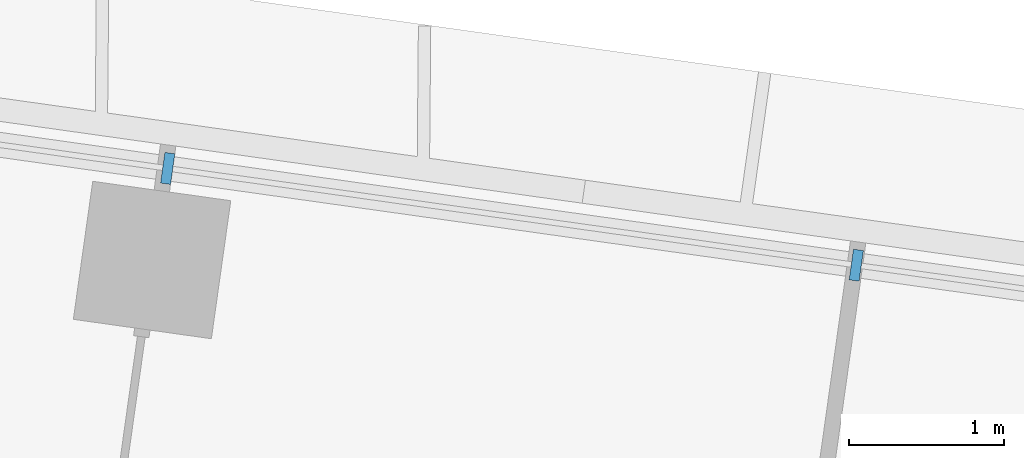
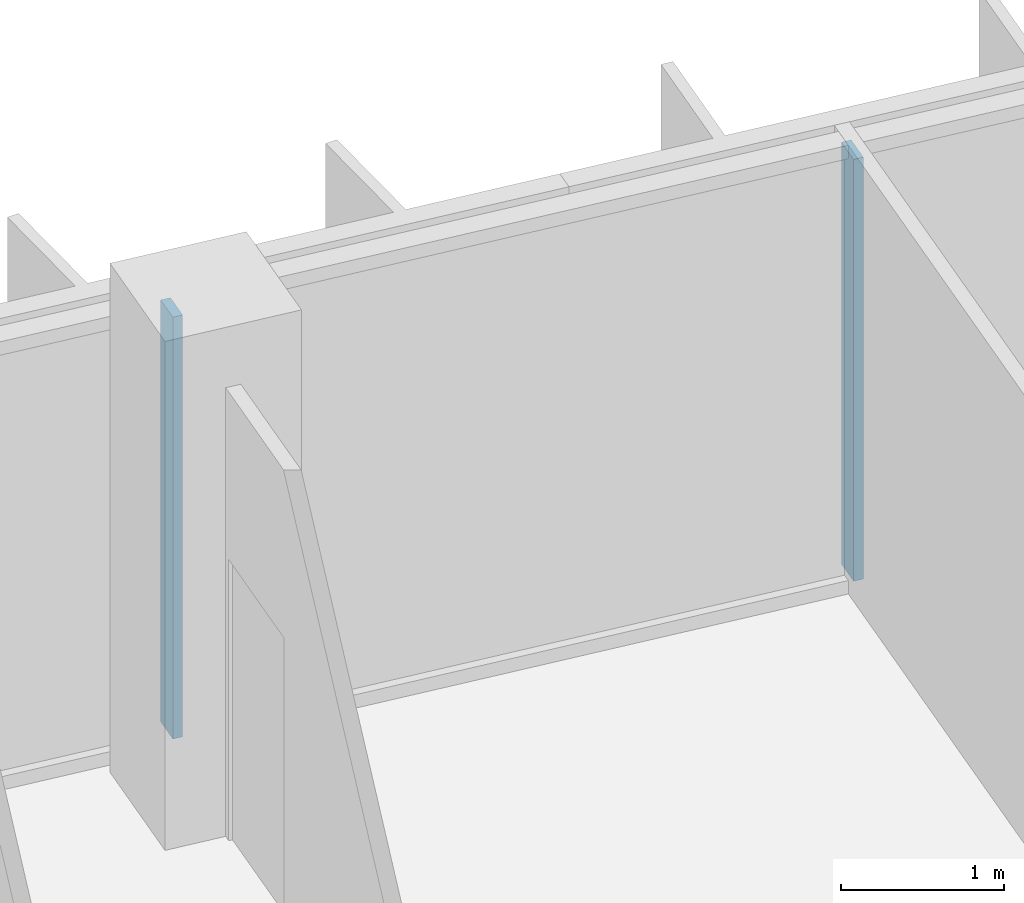
# One storey, part 3 of 27: 2 members, 1 element without a shape of its own.
"""IFC4 building model written with IfcOpenShell, lengths in metres."""

from ifc_helpers import new_model, si_unit, direction, frame, origin, origin_2d, place, context, subcontext, project, spatial, rectangle, extrude, material, material_profile, profile_set, type_object, element, aggregate, save


model = new_model("IFC4")

# Units and contexts
model_context = context("Model", 3, precision=1e-05, world=origin(), true_north=direction((0.0, 1.0)))
body_context = subcontext(model_context, "Body", "Model", "MODEL_VIEW")
ifc_project = project(units=[si_unit("LENGTHUNIT", "METRE"), si_unit("AREAUNIT", "SQUARE_METRE"), si_unit("VOLUMEUNIT", "CUBIC_METRE"), si_unit("PLANEANGLEUNIT", "RADIAN"), si_unit("MASSUNIT", "GRAM", prefix="KILO")], contexts=[model_context])

# Site, building, storey
site_placement = place(None, origin())
site = spatial("IfcSite", under=ifc_project, at=site_placement, CompositionType="ELEMENT")
building_placement = place(site_placement, origin())
building = spatial("IfcBuilding", under=site, at=building_placement, Name="Mirante Cascada Hotel Towers", CompositionType="ELEMENT")
storey_placement = place(building_placement, frame((0.0, 0.0, 117.7)))
storey = spatial("IfcBuildingStorey", under=building, at=storey_placement, Name="L26", CompositionType="ELEMENT", Elevation=117.7)

# Curtain wall, members
ifc_material_1 = material(Name="Aluminium mullion and transom frame with clear laminated glass", Category="aluminium")
curtain_wall_type = type_object("IfcCurtainWallType", Name="Ribbon curtain wall ECW1", PredefinedType="NOTDEFINED", material=ifc_material_1)
curtain_wall_placement = place(storey_placement, origin())
curtain_wall = element("IfcCurtainWall", 1, at=curtain_wall_placement, inside=storey, type_object=curtain_wall_type, Name="Front ribbon wall T1 L26", PredefinedType="NOTDEFINED")
ifc_material_2 = material(Name="Anodised aluminium extrusion", Category="aluminium")
ifc_material_profile = material_profile(ifc_material_2, rectangle(XDim=0.2, YDim=0.065, at=origin_2d()), Name="ECW1 MULLION 65x200")
ifc_profile_set = profile_set([ifc_material_profile], Name="Anodised aluminium extrusion")
member_type = type_object("IfcMemberType", Name="ECW1 mullion 65x200", PredefinedType="MULLION", material=ifc_profile_set)
member_1_placement = place(storey_placement, frame((-71.9211, 22.9269, 0.1), z_axis=(0.0, 0.0, 1.0), x_axis=(0.1391731, 0.9902681, 0.0)))
member_1 = element("IfcMember", 2, at=member_1_placement, type_object=member_type, Name="ECW1 mullion 6", PredefinedType="MULLION", context=body_context, shape_type="SweptSolid", body=[
    extrude(rectangle(XDim=0.2, YDim=0.065, at=origin_2d()), origin(), (0.0, 0.0, 1.0), 3.15),
])
member_2_placement = place(storey_placement, frame((-67.4737, 22.3018, 0.1), z_axis=(0.0, 0.0, 1.0), x_axis=(0.1391731, 0.9902681, 0.0)))
member_2 = element("IfcMember", 3, at=member_2_placement, type_object=member_type, Name="ECW1 mullion 7", PredefinedType="MULLION", context=body_context, shape_type="SweptSolid", body=[
    extrude(rectangle(XDim=0.2, YDim=0.065, at=origin_2d()), origin(), (0.0, 0.0, 1.0), 3.15),
])
aggregate(curtain_wall, [member_1, member_2])

save(model, "model.ifc")
